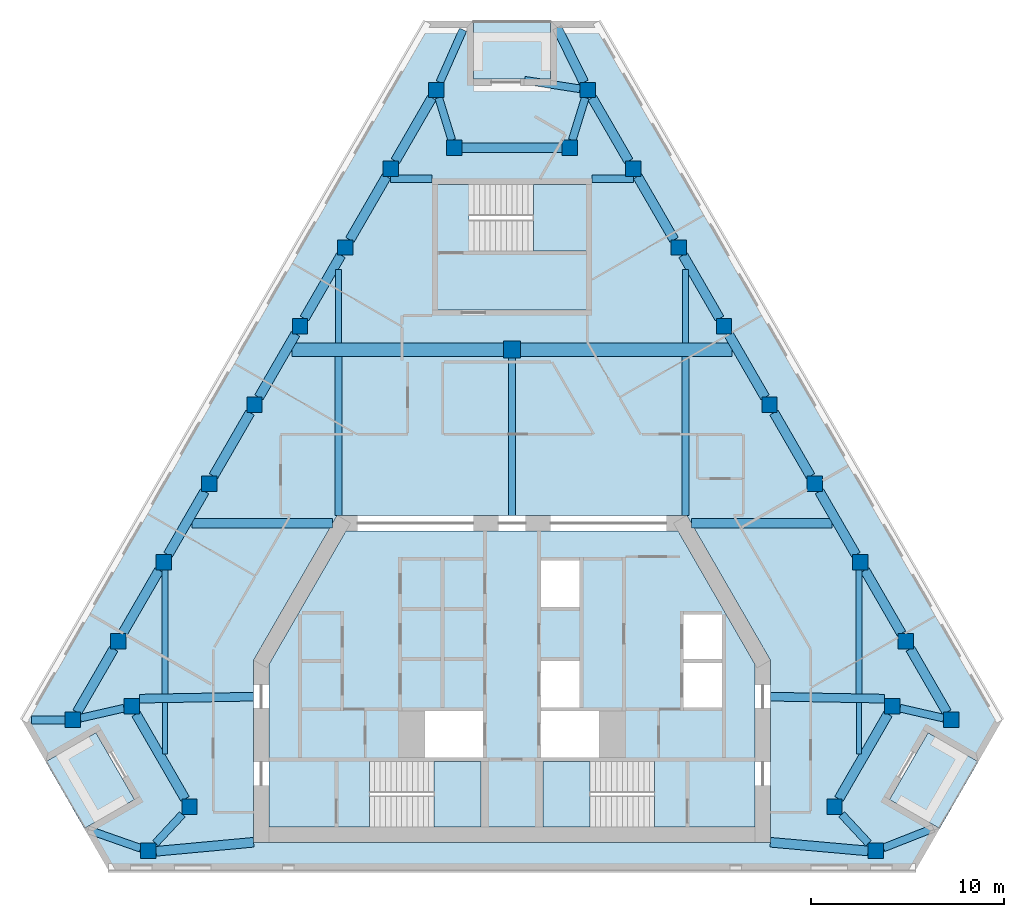
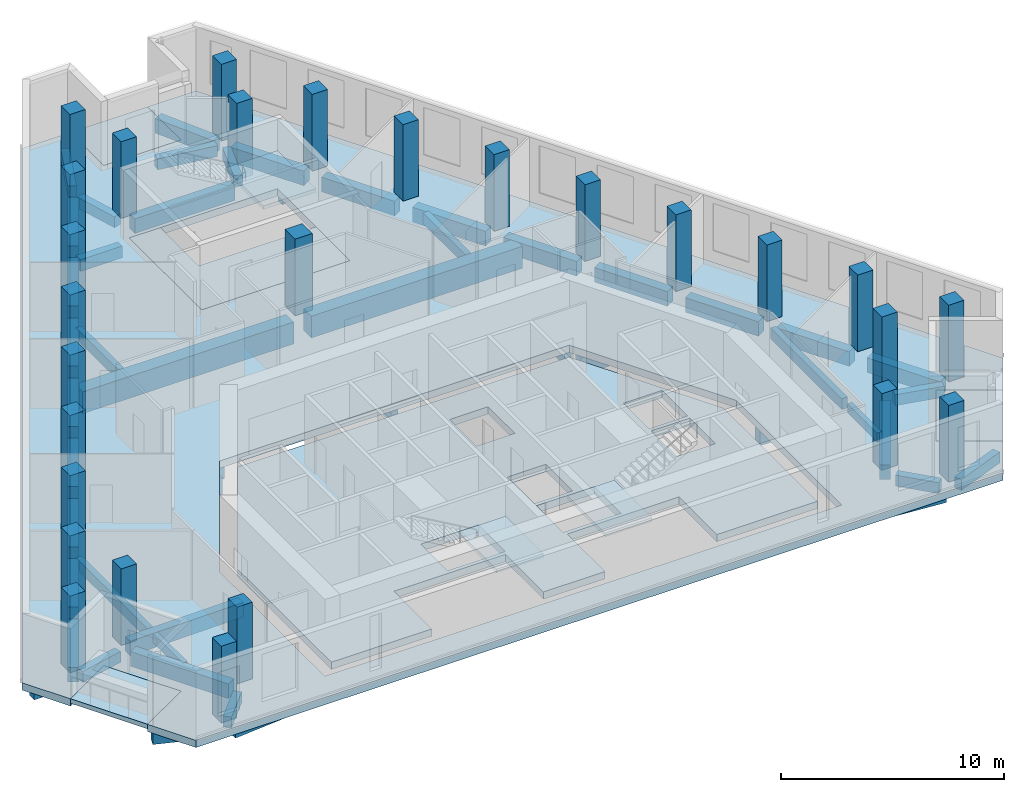
# One storey, part 1 of 9: 50 beams, 27 columns, 9 slabs, 3 elements without a shape of their own.
"""IFC4 building model written with IfcOpenShell, lengths in metres."""

from ifc_helpers import new_model, si_unit, direction, frame, origin, origin_2d, place, context, subcontext, project, spatial, polyline, rectangle, outline, extrude, material, layer, layer_set, material_profile, profile_set, type_object, element, aggregate, save


model = new_model("IFC4")

# Units and contexts
model_context = context("Model", 3, precision=1e-05, world=origin(), true_north=direction((0.0, 1.0)))
body_context = subcontext(model_context, "Body", "Model", "MODEL_VIEW")
ifc_project = project(units=[si_unit("LENGTHUNIT", "METRE"), si_unit("AREAUNIT", "SQUARE_METRE"), si_unit("VOLUMEUNIT", "CUBIC_METRE"), si_unit("PLANEANGLEUNIT", "RADIAN"), si_unit("MASSUNIT", "GRAM", prefix="KILO")], contexts=[model_context])

# Site, building, storey
site_placement = place(None, origin())
site = spatial("IfcSite", under=ifc_project, at=site_placement, CompositionType="ELEMENT")
building_placement = place(site_placement, origin())
building = spatial("IfcBuilding", under=site, at=building_placement, Name="Fogline Exchange Tower", CompositionType="ELEMENT")
storey_placement = place(building_placement, frame((0.0, 0.0, 287.699951171875)))
storey = spatial("IfcBuildingStorey", under=building, at=storey_placement, Name="L65", CompositionType="ELEMENT", Elevation=287.699951171875)

# Columns
ifc_material_1 = material(Name="Concrete C60", Category="concrete")
ifc_material_profile_1 = material_profile(ifc_material_1, rectangle(XDim=0.89990234375, YDim=0.89990234375, at=origin_2d()), Name="RC 900x900")
ifc_profile_set_1 = profile_set([ifc_material_profile_1], Name="Concrete C60")
column_type_1 = type_object("IfcColumnType", Name="C06", PredefinedType="COLUMN", material=ifc_profile_set_1)
column_placement = place(storey_placement, frame((0.0, 27.0, 0.0), z_axis=(0.0, 0.0, 1.0), x_axis=(1.0, 0.0, 0.0)))
element("IfcColumn", 1, at=column_placement, inside=storey, type_object=column_type_1, Name="IC-0-27", PredefinedType="COLUMN", context=body_context, shape_type="SweptSolid", body=[
    extrude(rectangle(XDim=0.89990234375, YDim=0.89990234375, at=origin_2d()), origin(), (0.0, 0.0, 1.0), 4.199951171875),
])
ifc_material_profile_2 = material_profile(ifc_material_1, rectangle(XDim=0.800048828125, YDim=0.800048828125, at=origin_2d()), Name="RC 800x800")
ifc_profile_set_2 = profile_set([ifc_material_profile_2], Name="Concrete C60")
column_type_2 = type_object("IfcColumnType", Name="C07", PredefinedType="COLUMN", material=ifc_profile_set_2)
for number, where, z_axis, x_axis, name in (
    (2, (-22.7802734375, 7.794189453125, 0.0), (0.0, 0.0, 1.0), (1.0, 0.0, 0.0), "SW-a"),
    (3, (-19.720947265625, 8.4951171875, 0.0), (0.0, 0.0, 1.0), (1.0, 0.0, 0.0), "SW-p4"),
    (4, (-16.720947265625, 3.299072265625, 0.0), (0.0, 0.0, 1.0), (1.0, 0.0, 0.0), "SW-p3"),
    (5, (-18.857666015625, 1.0, 0.0), (0.0, 0.0, 1.0), (1.0, 0.0, 0.0), "SW-b"),
    (6, (18.857666015625, 1.0, 0.0), (0.0, 0.0, 1.0), (1.0, 0.0, 0.0), "SE-a"),
    (7, (16.720947265625, 3.299072265625, 0.0), (0.0, 0.0, 1.0), (1.0, 0.0, 0.0), "SE-p4"),
    (8, (19.720947265625, 8.4951171875, 0.0), (0.0, 0.0, 1.0), (1.0, 0.0, 0.0), "SE-p3"),
    (9, (22.7802734375, 7.794189453125, 0.0), (0.0, 0.0, 1.0), (1.0, 0.0, 0.0), "SE-b"),
    (10, (20.423095703125, 11.876953125, 0.0), (0.0, 0.0, 1.0), (1.0, 0.0, 0.0), "E1"),
    (11, (18.06591796875, 15.959716796875, 0.0), (0.0, 0.0, 1.0), (1.0, 0.0, 0.0), "E2"),
    (12, (15.708740234375, 20.04248046875, 0.0), (0.0, 0.0, 1.0), (1.0, 0.0, 0.0), "E3"),
    (13, (13.3515625, 24.12548828125, 0.0), (0.0, 0.0, 1.0), (1.0, 0.0, 0.0), "E4"),
    (14, (10.994384765625, 28.208251953125, 0.0), (0.0, 0.0, 1.0), (1.0, 0.0, 0.0), "E5"),
    (15, (8.63720703125, 32.291015625, 0.0), (0.0, 0.0, 1.0), (1.0, 0.0, 0.0), "E6"),
    (16, (6.27978515625, 36.373779296875, 0.0), (0.0, 0.0, 1.0), (1.0, 0.0, 0.0), "E7"),
    (17, (3.922607421875, 40.456787109375, 0.0), (0.0, 0.0, 1.0), (1.0, 0.0, 0.0), "N-a"),
    (18, (3.0, 37.456787109375, 0.0), (0.0, 0.0, 1.0), (1.0, 0.0, 0.0), "N-p4"),
    (19, (-3.0, 37.456787109375, 0.0), (0.0, 0.0, 1.0), (1.0, 0.0, 0.0), "N-p3"),
    (20, (-3.922607421875, 40.456787109375, 0.0), (0.0, 0.0, 1.0), (1.0, 0.0, 0.0), "N-b"),
    (21, (-6.27978515625, 36.373779296875, 0.0), (0.0, 0.0, 1.0), (1.0, 0.0, 0.0), "W1"),
    (22, (-8.63720703125, 32.291015625, 0.0), (0.0, 0.0, 1.0), (1.0, 0.0, 0.0), "W2"),
    (23, (-10.994384765625, 28.208251953125, 0.0), (0.0, 0.0, 1.0), (1.0, 0.0, 0.0), "W3"),
    (24, (-13.3515625, 24.12548828125, 0.0), (0.0, 0.0, 1.0), (1.0, 0.0, 0.0), "W4"),
    (25, (-15.708740234375, 20.04248046875, 0.0), (0.0, 0.0, 1.0), (1.0, 0.0, 0.0), "W5"),
    (26, (-18.06591796875, 15.959716796875, 0.0), (0.0, 0.0, 1.0), (1.0, 0.0, 0.0), "W6"),
    (27, (-20.423095703125, 11.876953125, 0.0), (0.0, 0.0, 1.0), (1.0, 0.0, 0.0), "W7"),
):
    element("IfcColumn", number, at=place(storey_placement, frame(where, z_axis=z_axis, x_axis=x_axis)), inside=storey, type_object=column_type_2, Name=name, PredefinedType="COLUMN", context=body_context, shape_type="SweptSolid", body=[
        extrude(rectangle(XDim=0.800048828125, YDim=0.800048828125, at=origin_2d()), origin(), (0.0, 0.0, 1.0), 4.199951171875),
    ])

# Beams
ifc_material_2 = material(Name="Concrete C40", Category="concrete")
ifc_material_profile_3 = material_profile(ifc_material_2, rectangle(XDim=0.300048828125, YDim=0.60009765625, at=origin_2d()), Name="RC 300x600")
ifc_profile_set_3 = profile_set([ifc_material_profile_3], Name="Concrete C40")
beam_type_1 = type_object("IfcBeamType", Name="B06", PredefinedType="BEAM", material=ifc_profile_set_3)
beam_1_placement = place(storey_placement, frame((-18.0, 9.1435546875, -0.699951171875), z_axis=(0.0, 1.0, 0.0), x_axis=(-1.0, 0.0, 0.0)))
element("IfcBeam", 28, at=beam_1_placement, inside=storey, type_object=beam_type_1, Name="SB002", PredefinedType="BEAM", context=body_context, shape_type="SweptSolid", body=[
    extrude(rectangle(XDim=0.300048828125, YDim=0.60009765625, at=origin_2d()), origin(), (0.0, 0.0, 1.0), 6.416259765625),
])
for number, where, z_axis, x_axis, name in (
    (29, (-9.0, 27.35009765625, -0.699951171875), (0.0, 1.0, 0.0), (-1.0, 0.0, 0.0), "SB004"),
    (30, (9.0, 27.35009765625, -0.699951171875), (0.0, 1.0, 0.0), (-1.0, 0.0, 0.0), "SB007"),
):
    element("IfcBeam", number, at=place(storey_placement, frame(where, z_axis=z_axis, x_axis=x_axis)), inside=storey, type_object=beam_type_1, Name=name, PredefinedType="BEAM", context=body_context, shape_type="SweptSolid", body=[
        extrude(rectangle(XDim=0.300048828125, YDim=0.60009765625, at=origin_2d()), origin(), (0.0, 0.0, 1.0), 3.812255859375),
    ])
beam_2_placement = place(storey_placement, frame((18.0, 9.1435546875, -0.699951171875), z_axis=(0.0, 1.0, 0.0), x_axis=(-1.0, 0.0, 0.0)))
element("IfcBeam", 31, at=beam_2_placement, inside=storey, type_object=beam_type_1, Name="SB009", PredefinedType="BEAM", context=body_context, shape_type="SweptSolid", body=[
    extrude(rectangle(XDim=0.300048828125, YDim=0.60009765625, at=origin_2d()), origin(), (0.0, 0.0, 1.0), 6.416259765625),
])
ifc_material_profile_4 = material_profile(ifc_material_2, rectangle(XDim=0.25, YDim=0.5, at=origin_2d()), Name="RC 250x500")
ifc_profile_set_4 = profile_set([ifc_material_profile_4], Name="Concrete C40")
beam_type_2 = type_object("IfcBeamType", Name="B08", PredefinedType="BEAM", material=ifc_profile_set_4)
for number, where, z_axis, x_axis, name in (
    (32, (-18.0, 6.014404296875, -0.64990234375), (0.0, 1.0, 0.0), (-1.0, 0.0, 0.0), "SB001"),
    (33, (18.0, 6.014404296875, -0.64990234375), (0.0, 1.0, 0.0), (-1.0, 0.0, 0.0), "SB008"),
):
    element("IfcBeam", number, at=place(storey_placement, frame(where, z_axis=z_axis, x_axis=x_axis)), inside=storey, type_object=beam_type_2, Name=name, PredefinedType="BEAM", context=body_context, shape_type="SweptSolid", body=[
        extrude(rectangle(XDim=0.25, YDim=0.5, at=origin_2d()), origin(), (0.0, 0.0, 1.0), 2.67919921875),
    ])
ifc_material_profile_5 = material_profile(ifc_material_2, rectangle(XDim=0.5, YDim=0.800048828125, at=origin_2d()), Name="RC 500x800")
ifc_profile_set_5 = profile_set([ifc_material_profile_5], Name="Concrete C40")
beam_type_3 = type_object("IfcBeamType", Name="B10", PredefinedType="BEAM", material=ifc_profile_set_5)
beam_3_placement = place(storey_placement, frame((-19.489990234375, 8.09521484375, -0.800048828125), z_axis=(0.499987508774, -0.866032615477, 0.0), x_axis=(0.866032615477, 0.499987508774, 0.0)))
element("IfcBeam", 34, at=beam_3_placement, inside=storey, type_object=beam_type_3, Name="RB002", PredefinedType="BEAM", context=body_context, shape_type="SweptSolid", body=[
    extrude(rectangle(XDim=0.5, YDim=0.800048828125, at=origin_2d()), origin(), (0.0, 0.0, 1.0), 5.076416015625),
])
beam_4_placement = place(storey_placement, frame((-18.457763671875, 0.981689453125, -0.800048828125), z_axis=(0.995741736268, 0.092186737952, 0.0), x_axis=(-0.092186737952, 0.995741736268, 0.0)))
element("IfcBeam", 35, at=beam_4_placement, inside=storey, type_object=beam_type_3, Name="RB004", PredefinedType="BEAM", context=body_context, shape_type="SweptSolid", body=[
    extrude(rectangle(XDim=0.5, YDim=0.800048828125, at=origin_2d()), origin(), (0.0, 0.0, 1.0), 5.07958984375),
])
beam_5_placement = place(storey_placement, frame((13.39990234375, 1.449951171875, -0.800048828125), z_axis=(0.996066324908, -0.088610814153, 0.0), x_axis=(0.088610814153, 0.996066324908, 0.0)))
element("IfcBeam", 36, at=beam_5_placement, inside=storey, type_object=beam_type_3, Name="RB005", PredefinedType="BEAM", context=body_context, shape_type="SweptSolid", body=[
    extrude(rectangle(XDim=0.5, YDim=0.800048828125, at=origin_2d()), origin(), (0.0, 0.0, 1.0), 5.077880859375),
])
beam_6_placement = place(storey_placement, frame((16.951904296875, 3.698974609375, -0.800048828125), z_axis=(0.499987508774, 0.866032615477, 0.0), x_axis=(-0.866032615477, 0.499987508774, 0.0)))
element("IfcBeam", 37, at=beam_6_placement, inside=storey, type_object=beam_type_3, Name="RB007", PredefinedType="BEAM", context=body_context, shape_type="SweptSolid", body=[
    extrude(rectangle(XDim=0.5, YDim=0.800048828125, at=origin_2d()), origin(), (0.0, 0.0, 1.0), 5.076416015625),
])
beam_7_placement = place(storey_placement, frame((22.54931640625, 8.194091796875, -0.800048828125), z_axis=(-0.499969613651, 0.86604294664, 0.0), x_axis=(-0.86604294664, -0.499969613651, 0.0)))
element("IfcBeam", 38, at=beam_7_placement, inside=storey, type_object=beam_type_3, Name="RB009", PredefinedType="BEAM", context=body_context, shape_type="SweptSolid", body=[
    extrude(rectangle(XDim=0.5, YDim=0.800048828125, at=origin_2d()), origin(), (0.0, 0.0, 1.0), 3.790771484375),
])
for number, where, z_axis, x_axis, name in (
    (39, (20.192138671875, 12.277099609375, -0.800048828125), (-0.499997501644, 0.866026846206, 0.0), (-0.866026846206, -0.499997501644, 0.0), "RB010"),
    (40, (17.8349609375, 16.35986328125, -0.800048828125), (-0.499997501644, 0.866026846206, 0.0), (-0.866026846206, -0.499997501644, 0.0), "RB011"),
    (41, (15.477783203125, 20.442626953125, -0.800048828125), (-0.499997501644, 0.866026846206, 0.0), (-0.866026846206, -0.499997501644, 0.0), "RB012"),
):
    element("IfcBeam", number, at=place(storey_placement, frame(where, z_axis=z_axis, x_axis=x_axis)), inside=storey, type_object=beam_type_3, Name=name, PredefinedType="BEAM", context=body_context, shape_type="SweptSolid", body=[
        extrude(rectangle(XDim=0.5, YDim=0.800048828125, at=origin_2d()), origin(), (0.0, 0.0, 1.0), 3.79052734375),
    ])
for number, where, z_axis, x_axis, name in (
    (42, (13.12060546875, 24.525390625, -0.800048828125), (-0.500045805297, 0.865998956469, 0.0), (-0.865998956469, -0.500045805297, 0.0), "RB013"),
    (43, (10.76318359375, 28.608154296875, -0.800048828125), (-0.499969613651, 0.86604294664, 0.0), (-0.86604294664, -0.499969613651, 0.0), "RB014"),
    (44, (8.406005859375, 32.69091796875, -0.800048828125), (-0.499969613651, 0.86604294664, 0.0), (-0.86604294664, -0.499969613651, 0.0), "RB015"),
    (45, (6.048828125, 36.773681640625, -0.800048828125), (-0.499969613651, 0.86604294664, 0.0), (-0.86604294664, -0.499969613651, 0.0), "RB016"),
):
    element("IfcBeam", number, at=place(storey_placement, frame(where, z_axis=z_axis, x_axis=x_axis)), inside=storey, type_object=beam_type_3, Name=name, PredefinedType="BEAM", context=body_context, shape_type="SweptSolid", body=[
        extrude(rectangle(XDim=0.5, YDim=0.800048828125, at=origin_2d()), origin(), (0.0, 0.0, 1.0), 3.790771484375),
    ])
beam_8_placement = place(storey_placement, frame((2.60009765625, 37.456787109375, -0.800048828125), z_axis=(-1.0, 0.0, 0.0), x_axis=(0.0, -1.0, 0.0)))
element("IfcBeam", 46, at=beam_8_placement, inside=storey, type_object=beam_type_3, Name="RB018", PredefinedType="BEAM", context=body_context, shape_type="SweptSolid", body=[
    extrude(rectangle(XDim=0.5, YDim=0.800048828125, at=origin_2d()), origin(), (0.0, 0.0, 1.0), 5.2001953125),
])
for number, where, z_axis, x_axis, name in (
    (47, (-4.153564453125, 40.056640625, -0.800048828125), (-0.499969613651, -0.86604294664, 0.0), (0.86604294664, -0.499969613651, 0.0), "RB020"),
    (48, (-6.5107421875, 35.973876953125, -0.800048828125), (-0.499969613651, -0.86604294664, 0.0), (0.86604294664, -0.499969613651, 0.0), "RB021"),
    (49, (-8.867919921875, 31.89111328125, -0.800048828125), (-0.499969613651, -0.86604294664, 0.0), (0.86604294664, -0.499969613651, 0.0), "RB022"),
    (50, (-11.22509765625, 27.80810546875, -0.800048828125), (-0.500045805297, -0.865998956469, 0.0), (0.865998956469, -0.500045805297, 0.0), "RB023"),
):
    element("IfcBeam", number, at=place(storey_placement, frame(where, z_axis=z_axis, x_axis=x_axis)), inside=storey, type_object=beam_type_3, Name=name, PredefinedType="BEAM", context=body_context, shape_type="SweptSolid", body=[
        extrude(rectangle(XDim=0.5, YDim=0.800048828125, at=origin_2d()), origin(), (0.0, 0.0, 1.0), 3.790771484375),
    ])
for number, where, z_axis, x_axis, name in (
    (51, (-13.58251953125, 23.725341796875, -0.800048828125), (-0.499997501644, -0.866026846206, 0.0), (0.866026846206, -0.499997501644, 0.0), "RB024"),
    (52, (-15.939697265625, 19.642578125, -0.800048828125), (-0.499997501644, -0.866026846206, 0.0), (0.866026846206, -0.499997501644, 0.0), "RB025"),
    (53, (-18.296875, 15.559814453125, -0.800048828125), (-0.499997501644, -0.866026846206, 0.0), (0.866026846206, -0.499997501644, 0.0), "RB026"),
):
    element("IfcBeam", number, at=place(storey_placement, frame(where, z_axis=z_axis, x_axis=x_axis)), inside=storey, type_object=beam_type_3, Name=name, PredefinedType="BEAM", context=body_context, shape_type="SweptSolid", body=[
        extrude(rectangle(XDim=0.5, YDim=0.800048828125, at=origin_2d()), origin(), (0.0, 0.0, 1.0), 3.79052734375),
    ])
beam_9_placement = place(storey_placement, frame((-20.654052734375, 11.47705078125, -0.800048828125), z_axis=(-0.499969613651, -0.86604294664, 0.0), x_axis=(0.86604294664, -0.499969613651, 0.0)))
element("IfcBeam", 54, at=beam_9_placement, inside=storey, type_object=beam_type_3, Name="RB027", PredefinedType="BEAM", context=body_context, shape_type="SweptSolid", body=[
    extrude(rectangle(XDim=0.5, YDim=0.800048828125, at=origin_2d()), origin(), (0.0, 0.0, 1.0), 3.790771484375),
])
beam_10_placement = place(storey_placement, frame((3.726318359375, 40.856689453125, -0.800048828125), z_axis=(-0.440467464313, 0.897768574234, 0.0), x_axis=(-0.897768574234, -0.440467464313, 0.0)))
element("IfcBeam", 55, at=beam_10_placement, inside=storey, type_object=beam_type_3, Name="SP028", PredefinedType="BEAM", context=body_context, shape_type="SweptSolid", body=[
    extrude(rectangle(XDim=0.5, YDim=0.800048828125, at=origin_2d()), origin(), (0.0, 0.0, 1.0), 3.147216796875),
])
ifc_material_profile_6 = material_profile(ifc_material_2, rectangle(XDim=0.39990234375, YDim=0.60009765625, at=origin_2d()), Name="RC 400x600")
ifc_profile_set_6 = profile_set([ifc_material_profile_6], Name="Concrete C40")
beam_type_4 = type_object("IfcBeamType", Name="B11", PredefinedType="BEAM", material=ifc_profile_set_6)
beam_11_placement = place(storey_placement, frame((-22.38037109375, 7.885986328125, -0.699951171875), z_axis=(0.974753812703, 0.223282342834, 0.0), x_axis=(-0.223282342834, 0.974753812703, 0.0)))
element("IfcBeam", 56, at=beam_11_placement, inside=storey, type_object=beam_type_4, Name="RB001", PredefinedType="BEAM", context=body_context, shape_type="SweptSolid", body=[
    extrude(rectangle(XDim=0.39990234375, YDim=0.60009765625, at=origin_2d()), origin(), (0.0, 0.0, 1.0), 2.318115234375),
])
for number, where, z_axis, x_axis, name in (
    (57, (-17.0927734375, 2.89892578125, -0.699951171875), (-0.680743909802, -0.732521487239, 0.0), (0.732521487239, -0.680743909802, 0.0), "RB003"),
    (58, (18.48583984375, 1.39990234375, -0.699951171875), (-0.680743909802, 0.732521487239, 0.0), (-0.732521487239, -0.680743909802, 0.0), "RB006"),
):
    element("IfcBeam", number, at=place(storey_placement, frame(where, z_axis=z_axis, x_axis=x_axis)), inside=storey, type_object=beam_type_4, Name=name, PredefinedType="BEAM", context=body_context, shape_type="SweptSolid", body=[
        extrude(rectangle(XDim=0.39990234375, YDim=0.60009765625, at=origin_2d()), origin(), (0.0, 0.0, 1.0), 2.04638671875),
    ])
beam_12_placement = place(storey_placement, frame((20.120849609375, 8.403564453125, -0.699951171875), z_axis=(0.974753812703, -0.223282342834, 0.0), x_axis=(0.223282342834, 0.974753812703, 0.0)))
element("IfcBeam", 59, at=beam_12_placement, inside=storey, type_object=beam_type_4, Name="RB008", PredefinedType="BEAM", context=body_context, shape_type="SweptSolid", body=[
    extrude(rectangle(XDim=0.39990234375, YDim=0.60009765625, at=origin_2d()), origin(), (0.0, 0.0, 1.0), 2.318115234375),
])
for number, where, z_axis, x_axis, name in (
    (60, (3.799560546875, 40.056640625, -0.699951171875), (-0.293929314998, -0.955827158949, 0.0), (0.955827158949, -0.293929314998, 0.0), "RB017"),
    (61, (-3.123046875, 37.856689453125, -0.699951171875), (-0.293929314998, 0.955827158949, 0.0), (-0.955827158949, -0.293929314998, 0.0), "RB019"),
):
    element("IfcBeam", number, at=place(storey_placement, frame(where, z_axis=z_axis, x_axis=x_axis)), inside=storey, type_object=beam_type_4, Name=name, PredefinedType="BEAM", context=body_context, shape_type="SweptSolid", body=[
        extrude(rectangle(XDim=0.39990234375, YDim=0.60009765625, at=origin_2d()), origin(), (0.0, 0.0, 1.0), 2.301513671875),
    ])
beam_13_placement = place(storey_placement, frame((-3.74560546875, 40.856689453125, -0.699951171875), z_axis=(0.405050498391, 0.914294314624, 0.0), x_axis=(-0.914294314624, 0.405050498391, 0.0)))
element("IfcBeam", 62, at=beam_13_placement, inside=storey, type_object=beam_type_4, Name="SP029", PredefinedType="BEAM", context=body_context, shape_type="SweptSolid", body=[
    extrude(rectangle(XDim=0.39990234375, YDim=0.60009765625, at=origin_2d()), origin(), (0.0, 0.0, 1.0), 2.97802734375),
])
beam_14_placement = place(storey_placement, frame((-19.2578125, 1.14013671875, -0.699951171875), z_axis=(-0.943697611432, 0.330809338105, 0.0), x_axis=(-0.330809338105, -0.943697611432, 0.0)))
element("IfcBeam", 63, at=beam_14_placement, inside=storey, type_object=beam_type_4, Name="SP030", PredefinedType="BEAM", context=body_context, shape_type="SweptSolid", body=[
    extrude(rectangle(XDim=0.39990234375, YDim=0.60009765625, at=origin_2d()), origin(), (0.0, 0.0, 1.0), 2.890869140625),
])
beam_15_placement = place(storey_placement, frame((19.2578125, 1.157470703125, -0.699951171875), z_axis=(0.930478197555, 0.366347272236, 0.0), x_axis=(-0.366347272236, 0.930478197555, 0.0)))
element("IfcBeam", 64, at=beam_15_placement, inside=storey, type_object=beam_type_4, Name="SP031", PredefinedType="BEAM", context=body_context, shape_type="SweptSolid", body=[
    extrude(rectangle(XDim=0.39990234375, YDim=0.60009765625, at=origin_2d()), origin(), (0.0, 0.0, 1.0), 2.7822265625),
])
beam_16_placement = place(storey_placement, frame((3.522705078125, 40.518310546875, -0.699951171875), z_axis=(-0.988292675086, 0.152569945834, 0.0), x_axis=(-0.152569945834, -0.988292675086, 0.0)))
element("IfcBeam", 65, at=beam_16_placement, inside=storey, type_object=beam_type_4, Name="SP032", PredefinedType="BEAM", context=body_context, shape_type="SweptSolid", body=[
    extrude(rectangle(XDim=0.39990234375, YDim=0.60009765625, at=origin_2d()), origin(), (0.0, 0.0, 1.0), 2.89794921875),
])
beam_17_placement = place(storey_placement, frame((-23.180419921875, 7.794189453125, -0.699951171875), z_axis=(-1.0, 0.0, 0.0), x_axis=(0.0, -1.0, 0.0)))
element("IfcBeam", 66, at=beam_17_placement, inside=storey, type_object=beam_type_4, Name="SP033", PredefinedType="BEAM", context=body_context, shape_type="SweptSolid", body=[
    extrude(rectangle(XDim=0.39990234375, YDim=0.60009765625, at=origin_2d()), origin(), (0.0, 0.0, 1.0), 1.744140625),
])
ifc_material_profile_7 = material_profile(ifc_material_2, rectangle(XDim=0.39990234375, YDim=0.64990234375, at=origin_2d()), Name="RC 400x650")
ifc_profile_set_7 = profile_set([ifc_material_profile_7], Name="Concrete C40")
beam_type_5 = type_object("IfcBeamType", Name="B13", PredefinedType="BEAM", material=ifc_profile_set_7)
for number, where, z_axis, x_axis, name in (
    (67, (-6.308349609375, 35.85693359375, -0.724853515625), (1.0, 0.0, 0.0), (0.0, 1.0, 0.0), "GB007"),
    (68, (4.14990234375, 35.85693359375, -0.724853515625), (1.0, 0.0, 0.0), (0.0, 1.0, 0.0), "GB008"),
):
    element("IfcBeam", number, at=place(storey_placement, frame(where, z_axis=z_axis, x_axis=x_axis)), inside=storey, type_object=beam_type_5, Name=name, PredefinedType="BEAM", context=body_context, shape_type="SweptSolid", body=[
        extrude(rectangle(XDim=0.39990234375, YDim=0.64990234375, at=origin_2d()), origin(), (0.0, 0.0, 1.0), 2.158447265625),
    ])
ifc_material_profile_8 = material_profile(ifc_material_2, rectangle(XDim=0.5, YDim=0.949951171875, at=origin_2d()), Name="RC 500x950")
ifc_profile_set_8 = profile_set([ifc_material_profile_8], Name="Concrete C40")
beam_type_6 = type_object("IfcBeamType", Name="B14", PredefinedType="BEAM", material=ifc_profile_set_8)
for number, where, z_axis, x_axis, name in (
    (69, (-16.599365234375, 18.0, -0.875), (1.0, 0.0, 0.0), (0.0, 1.0, 0.0), "GB003"),
    (70, (9.296142578125, 18.0, -0.875), (1.0, 0.0, 0.0), (0.0, 1.0, 0.0), "GB004"),
):
    element("IfcBeam", number, at=place(storey_placement, frame(where, z_axis=z_axis, x_axis=x_axis)), inside=storey, type_object=beam_type_6, Name=name, PredefinedType="BEAM", context=body_context, shape_type="SweptSolid", body=[
        extrude(rectangle(XDim=0.5, YDim=0.949951171875, at=origin_2d()), origin(), (0.0, 0.0, 1.0), 7.30322265625),
    ])
ifc_material_profile_9 = material_profile(ifc_material_2, rectangle(XDim=0.35009765625, YDim=0.64990234375, at=origin_2d()), Name="RC 350x650")
ifc_profile_set_9 = profile_set([ifc_material_profile_9], Name="Concrete C40")
beam_type_7 = type_object("IfcBeamType", Name="B16", PredefinedType="BEAM", material=ifc_profile_set_9)
beam_18_placement = place(storey_placement, frame((-9.0, 18.39990234375, -0.724853515625), z_axis=(0.0, 1.0, 0.0), x_axis=(-1.0, 0.0, 0.0)))
element("IfcBeam", 71, at=beam_18_placement, inside=storey, type_object=beam_type_7, Name="SB003", PredefinedType="BEAM", context=body_context, shape_type="SweptSolid", body=[
    extrude(rectangle(XDim=0.35009765625, YDim=0.64990234375, at=origin_2d()), origin(), (0.0, 0.0, 1.0), 8.25),
])
beam_19_placement = place(storey_placement, frame((0.0, 18.39990234375, -0.724853515625), z_axis=(0.0, 1.0, 0.0), x_axis=(-1.0, 0.0, 0.0)))
element("IfcBeam", 72, at=beam_19_placement, inside=storey, type_object=beam_type_7, Name="SB005", PredefinedType="BEAM", context=body_context, shape_type="SweptSolid", body=[
    extrude(rectangle(XDim=0.35009765625, YDim=0.64990234375, at=origin_2d()), origin(), (0.0, 0.0, 1.0), 8.150146484375),
])
beam_20_placement = place(storey_placement, frame((9.0, 18.39990234375, -0.724853515625), z_axis=(0.0, 1.0, 0.0), x_axis=(-1.0, 0.0, 0.0)))
element("IfcBeam", 73, at=beam_20_placement, inside=storey, type_object=beam_type_7, Name="SB006", PredefinedType="BEAM", context=body_context, shape_type="SweptSolid", body=[
    extrude(rectangle(XDim=0.35009765625, YDim=0.64990234375, at=origin_2d()), origin(), (0.0, 0.0, 1.0), 8.25),
])
ifc_material_profile_10 = material_profile(ifc_material_2, rectangle(XDim=0.699951171875, YDim=1.199951171875, at=origin_2d()), Name="RC 700x1200")
ifc_profile_set_10 = profile_set([ifc_material_profile_10], Name="Concrete C40")
beam_type_8 = type_object("IfcBeamType", Name="B17", PredefinedType="BEAM", material=ifc_profile_set_10)
for number, where, z_axis, x_axis, name in (
    (74, (-11.4033203125, 27.0, -1.0), (1.0, 0.0, 0.0), (0.0, 1.0, 0.0), "GB005"),
    (75, (0.449951171875, 27.0, -1.0), (1.0, 0.0, 0.0), (0.0, 1.0, 0.0), "GB006"),
):
    element("IfcBeam", number, at=place(storey_placement, frame(where, z_axis=z_axis, x_axis=x_axis)), inside=storey, type_object=beam_type_8, Name=name, PredefinedType="BEAM", context=body_context, shape_type="SweptSolid", body=[
        extrude(rectangle(XDim=0.699951171875, YDim=1.199951171875, at=origin_2d()), origin(), (0.0, 0.0, 1.0), 10.953369140625),
    ])
ifc_material_profile_11 = material_profile(ifc_material_2, rectangle(XDim=0.449951171875, YDim=0.800048828125, at=origin_2d()), Name="RC 450x800")
ifc_profile_set_11 = profile_set([ifc_material_profile_11], Name="Concrete C40")
beam_type_9 = type_object("IfcBeamType", Name="B18", PredefinedType="BEAM", material=ifc_profile_set_11)
for number, where, z_axis, x_axis, name in (
    (76, (-19.32080078125, 8.895263671875, -0.800048828125), (0.9998435817, 0.017686495817, 0.0), (-0.017686495817, 0.9998435817, 0.0), "GB001"),
    (77, (13.39990234375, 9.0, -0.800048828125), (0.9998435817, -0.017686495817, 0.0), (0.017686495817, 0.9998435817, 0.0), "GB002"),
):
    element("IfcBeam", number, at=place(storey_placement, frame(where, z_axis=z_axis, x_axis=x_axis)), inside=storey, type_object=beam_type_9, Name=name, PredefinedType="BEAM", context=body_context, shape_type="SweptSolid", body=[
        extrude(rectangle(XDim=0.449951171875, YDim=0.800048828125, at=origin_2d()), origin(), (0.0, 0.0, 1.0), 5.921875),
    ])

# Slabs
ifc_layer_1 = layer(ifc_material_2, 0.25)
ifc_layer_set_1 = layer_set([ifc_layer_1], Name="DK1")
slab_type_1 = type_object("IfcSlabType", Name="DK1", PredefinedType="FLOOR", material=ifc_layer_set_1)
slab_1_placement = place(storey_placement, frame((0.0, 0.0, -0.25)))
element("IfcSlab", 78, at=slab_1_placement, inside=storey, type_object=slab_type_1, Name="Balcony L65 SW", PredefinedType="FLOOR", context=body_context, shape_type="SweptSolid", body=[
    extrude(outline(polyline([(-24.174560546875, 5.629150390625), (-22.174560546875, 2.1650390625), (-19.576416015625, 3.6650390625), (-21.576416015625, 7.129150390625), (-24.174560546875, 5.629150390625)])), origin(), (0.0, 0.0, 1.0), 0.25),
])
slab_2_placement = place(storey_placement, frame((0.0, 0.0, -0.25)))
element("IfcSlab", 79, at=slab_2_placement, inside=storey, type_object=slab_type_1, Name="Balcony L65 SE", PredefinedType="FLOOR", context=body_context, shape_type="SweptSolid", body=[
    extrude(outline(polyline([(22.174560546875, 2.1650390625), (24.174560546875, 5.629150390625), (21.576416015625, 7.129150390625), (19.576416015625, 3.6650390625), (22.174560546875, 2.1650390625)])), origin(), (0.0, 0.0, 1.0), 0.25),
])
slab_3_placement = place(storey_placement, frame((0.0, 0.0, -0.25)))
element("IfcSlab", 80, at=slab_3_placement, inside=storey, type_object=slab_type_1, Name="Balcony L65 N", PredefinedType="FLOOR", context=body_context, shape_type="SweptSolid", body=[
    extrude(outline(polyline([(2.0, 44.03662109375), (-2.0, 44.03662109375), (-2.0, 41.03662109375), (2.0, 41.03662109375), (2.0, 44.03662109375)])), origin(), (0.0, 0.0, 1.0), 0.25),
])
ifc_layer_2 = layer(ifc_material_2, 0.39990234375)
ifc_layer_set_2 = layer_set([ifc_layer_2], Name="S03")
slab_type_2 = type_object("IfcSlabType", Name="S03", PredefinedType="FLOOR", material=ifc_layer_set_2)
slab_4_placement = place(storey_placement, frame((0.0, 0.0, -0.39990234375)))
element("IfcSlab", 81, at=slab_4_placement, inside=storey, type_object=slab_type_2, Name="SLAB L65", PredefinedType="FLOOR", context=body_context, shape_type="SweptSolid", body=[
    extrude(outline(polyline([(-2.0, 44.03662109375), (-4.5, 44.03662109375), (-25.424560546875, 7.794189453125), (-24.174560546875, 5.629150390625), (-21.576416015625, 7.129150390625), (-19.576416015625, 3.6650390625), (-22.174560546875, 2.1650390625), (-20.924560546875, 0.0), (20.924560546875, 0.0), (22.174560546875, 2.1650390625), (19.576416015625, 3.6650390625), (21.576416015625, 7.129150390625), (24.174560546875, 5.629150390625), (25.424560546875, 7.794189453125), (4.5, 44.03662109375), (2.0, 44.03662109375), (2.0, 41.03662109375), (-2.0, 41.03662109375), (-2.0, 44.03662109375)]), holes=[polyline([(13.39990234375, 10.891845703125), (13.39990234375, 1.449951171875), (-13.39990234375, 1.449951171875), (-13.39990234375, 10.891845703125), (-9.065185546875, 18.39990234375), (9.065185546875, 18.39990234375), (13.39990234375, 10.891845703125)]), polyline([(3.85009765625, 35.556884765625), (3.85009765625, 29.056884765625), (-3.85009765625, 29.056884765625), (-3.85009765625, 35.556884765625), (3.85009765625, 35.556884765625)])]), origin(), (0.0, 0.0, 1.0), 0.39990234375),
])
slab_5_placement = place(storey_placement, frame((0.0, 0.0, -0.39990234375)))
element("IfcSlab", 82, at=slab_5_placement, inside=storey, type_object=slab_type_2, Name="Core floor slab", PredefinedType="FLOOR", context=body_context, shape_type="SweptSolid", body=[
    extrude(outline(polyline([(-12.60009765625, 2.25), (-12.60009765625, 10.677490234375), (-8.603271484375, 17.60009765625), (8.603271484375, 17.60009765625), (12.60009765625, 10.677490234375), (12.60009765625, 2.25), (7.389892578125, 2.25), (7.389892578125, 5.64990234375), (1.60009765625, 5.64990234375), (1.60009765625, 2.25), (-1.60009765625, 2.25), (-1.60009765625, 5.64990234375), (-7.389892578125, 5.64990234375), (-7.389892578125, 2.25), (-12.60009765625, 2.25)]), holes=[polyline([(-4.5, 8.25), (-4.5, 5.85009765625), (-1.5, 5.85009765625), (-1.5, 8.25), (-4.5, 8.25)]), polyline([(1.5, 8.25), (1.5, 5.85009765625), (4.5, 5.85009765625), (4.5, 8.25), (1.5, 8.25)]), polyline([(8.89990234375, 10.75), (8.89990234375, 8.449951171875), (10.89990234375, 8.449951171875), (10.89990234375, 10.75), (8.89990234375, 10.75)]), polyline([(1.5, 10.85009765625), (1.5, 8.449951171875), (3.5, 8.449951171875), (3.5, 10.85009765625), (1.5, 10.85009765625)]), polyline([(8.89990234375, 13.25), (8.89990234375, 10.949951171875), (10.89990234375, 10.949951171875), (10.89990234375, 13.25), (8.89990234375, 13.25)]), polyline([(1.5, 16.050048828125), (1.5, 13.64990234375), (3.5, 13.64990234375), (3.5, 16.050048828125), (1.5, 16.050048828125)])]), origin(), (0.0, 0.0, 1.0), 0.39990234375),
])
slab_6_placement = place(storey_placement, frame((0.0, 0.0, -0.39990234375)))
element("IfcSlab", 83, at=slab_6_placement, inside=storey, type_object=slab_type_2, Name="Stair enclosure floor slab", PredefinedType="FLOOR", context=body_context, shape_type="SweptSolid", body=[
    extrude(outline(polyline([(3.85009765625, 29.056884765625), (-3.85009765625, 29.056884765625), (-3.85009765625, 35.556884765625), (-2.239990234375, 35.556884765625), (-2.239990234375, 32.10693359375), (3.85009765625, 32.10693359375), (3.85009765625, 29.056884765625)])), origin(), (0.0, 0.0, 1.0), 0.39990234375),
])

# Stair, slab
stair_type = type_object("IfcStairType", Name="STR26-1615", PredefinedType="HALF_TURN_STAIR", material=ifc_material_2)
stair_1_placement = place(storey_placement, origin())
stair_1 = element("IfcStair", 84, at=stair_1_placement, inside=storey, type_object=stair_type, Name="Stair ST1", PredefinedType="HALF_TURN_STAIR")
ifc_layer_3 = layer(ifc_material_2, 0.199951171875)
ifc_layer_set_3 = layer_set([ifc_layer_3], Name="SL200")
slab_type_3 = type_object("IfcSlabType", Name="SL200", PredefinedType="LANDING", material=ifc_layer_set_3)
slab_7_placement = place(storey_placement, frame((0.0, 0.0, 1.900146484375)))
slab_7 = element("IfcSlab", 85, at=slab_7_placement, type_object=slab_type_3, Name="ST1 landing 1", PredefinedType="LANDING", context=body_context, shape_type="SweptSolid", body=[
    extrude(outline(polyline([(-4.0400390625, 2.25), (-1.60009765625, 2.25), (-1.60009765625, 5.64990234375), (-4.0400390625, 5.64990234375), (-4.0400390625, 2.25)])), origin(), (0.0, 0.0, 1.0), 0.199951171875),
])
aggregate(stair_1, [slab_7])

stair_2_placement = place(storey_placement, origin())
stair_2 = element("IfcStair", 86, at=stair_2_placement, inside=storey, type_object=stair_type, Name="Stair ST2", PredefinedType="HALF_TURN_STAIR")
slab_8_placement = place(storey_placement, frame((0.0, 0.0, 1.900146484375)))
slab_8 = element("IfcSlab", 87, at=slab_8_placement, type_object=slab_type_3, Name="ST2 landing 1", PredefinedType="LANDING", context=body_context, shape_type="SweptSolid", body=[
    extrude(outline(polyline([(1.60009765625, 2.25), (4.0400390625, 2.25), (4.0400390625, 5.64990234375), (1.60009765625, 5.64990234375), (1.60009765625, 2.25)])), origin(), (0.0, 0.0, 1.0), 0.199951171875),
])
aggregate(stair_2, [slab_8])

stair_3_placement = place(storey_placement, origin())
stair_3 = element("IfcStair", 88, at=stair_3_placement, inside=storey, type_object=stair_type, Name="Stair ST3", PredefinedType="HALF_TURN_STAIR")
slab_9_placement = place(storey_placement, frame((0.0, 0.0, 1.900146484375)))
slab_9 = element("IfcSlab", 89, at=slab_9_placement, type_object=slab_type_3, Name="ST3 landing 1", PredefinedType="LANDING", context=body_context, shape_type="SweptSolid", body=[
    extrude(outline(polyline([(1.110107421875, 32.10693359375), (3.85009765625, 32.10693359375), (3.85009765625, 35.556884765625), (1.110107421875, 35.556884765625), (1.110107421875, 32.10693359375)])), origin(), (0.0, 0.0, 1.0), 0.199951171875),
])
aggregate(stair_3, [slab_9])

save(model, "model.ifc")
